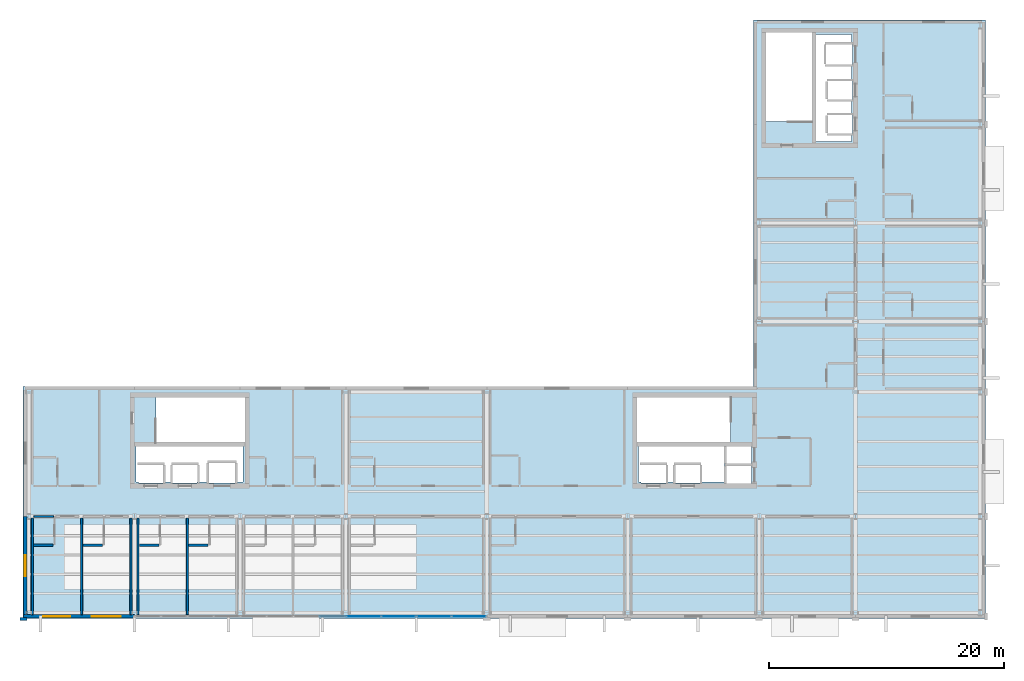
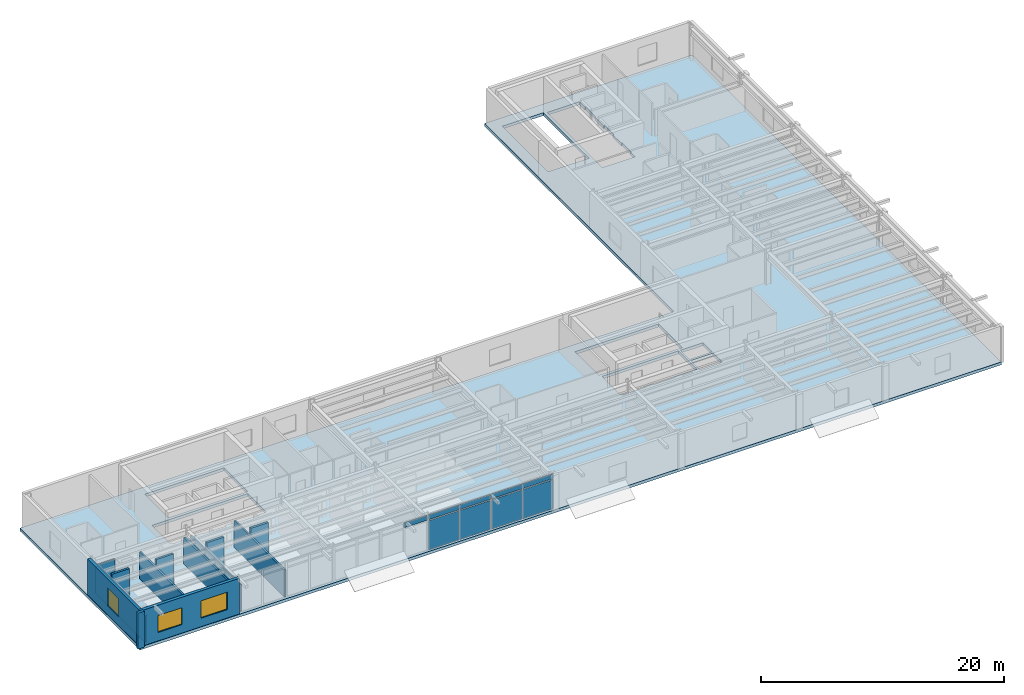
# One storey, part 11 of 19: 13 walls, 9 plates, 3 windows, 1 slab, 3 openings, 3 elements without a shape of their own.
"""IFC4 building model written with IfcOpenShell, lengths in metres."""

from ifc_helpers import new_model, si_unit, direction, frame, frame_2d, origin, origin_2d, place, context, subcontext, project, spatial, polyline, rectangle, outline, extrude, material, layer, layer_set, type_object, element, fill, aggregate, save


model = new_model("IFC4")

# Units and contexts
model_context = context("Model", 3, precision=1e-05, world=origin(), true_north=direction((0.0, 1.0)))
body_context = subcontext(model_context, "Body", "Model", "MODEL_VIEW")
ifc_project = project(units=[si_unit("LENGTHUNIT", "METRE"), si_unit("AREAUNIT", "SQUARE_METRE"), si_unit("VOLUMEUNIT", "CUBIC_METRE"), si_unit("PLANEANGLEUNIT", "RADIAN"), si_unit("MASSUNIT", "GRAM", prefix="KILO")], contexts=[model_context])

# Site, building, storey
site_placement = place(None, origin())
site = spatial("IfcSite", under=ifc_project, at=site_placement, CompositionType="ELEMENT")
building_placement = place(site_placement, origin())
building = spatial("IfcBuilding", under=site, at=building_placement, Name="Sollismere Congress Hotel", CompositionType="ELEMENT")
storey_placement = place(building_placement, frame((0.0, 0.0, 44.60009765625)))
storey = spatial("IfcBuildingStorey", under=building, at=storey_placement, Name="L11", CompositionType="ELEMENT", Elevation=44.60009765625)

# Curtain wall, plates
ifc_material_1 = material(Name="Anodized Bronze Curtain Wall & Low-E Triple Glazing", Category="glass")
ifc_layer_1 = layer(ifc_material_1, 0.199951171875, Name="Anodized Bronze Curtain Wall & Low-E Triple Glazing")
ifc_layer_set_1 = layer_set([ifc_layer_1], Name="Anodized Bronze Curtain Wall & Low-E Triple Glazing")
curtain_wall_type = type_object("IfcCurtainWallType", Name="CW-GLZ36", PredefinedType="USERDEFINED", material=ifc_layer_set_1)
curtain_wall_1_placement = place(storey_placement, origin())
curtain_wall_1 = element("IfcCurtainWall", 1, at=curtain_wall_1_placement, inside=storey, type_object=curtain_wall_type, Name="Unitised curtain wall CW-L11-163", ObjectType="UNITISED CURTAIN WALL", PredefinedType="USERDEFINED")
ifc_material_2 = material(Name="Blue-Tinted Solar-Control Low-E Vision Glass", Category="glass")
ifc_layer_2 = layer(ifc_material_2, 0.035888671875, Name="Blue-Tinted Solar-Control Low-E Vision Glass")
ifc_layer_set_2 = layer_set([ifc_layer_2], Name="Blue-Tinted Solar-Control Low-E Vision Glass")
plate_type_1 = type_object("IfcPlateType", Name="PL-CWGLZ", PredefinedType="CURTAIN_PANEL", material=ifc_layer_set_2)
plate_1_placement = place(storey_placement, frame((113.526611328125, -0.31005859375, 0.052978515625), z_axis=(0.0, 0.0, 1.0), x_axis=(1.0, 0.0, 0.0)))
plate_1 = element("IfcPlate", 2, at=plate_1_placement, type_object=plate_type_1, Name="CWL-CW-L11-163-VP01", PredefinedType="CURTAIN_PANEL", context=body_context, shape_type="SweptSolid", body=[
    extrude(rectangle(XDim=2.906005859375, YDim=0.035888671875, at=origin_2d()), origin(), (0.0, 0.0, 1.0), 2.9130859375),
])
plate_2_placement = place(storey_placement, frame((116.4833984375, -0.31005859375, 0.052978515625), z_axis=(0.0, 0.0, 1.0), x_axis=(1.0, 0.0, 0.0)))
plate_2 = element("IfcPlate", 3, at=plate_2_placement, type_object=plate_type_1, Name="CWL-CW-L11-163-VP02", PredefinedType="CURTAIN_PANEL", context=body_context, shape_type="SweptSolid", body=[
    extrude(rectangle(XDim=2.906005859375, YDim=0.035888671875, at=origin_2d()), origin(), (0.0, 0.0, 1.0), 2.9130859375),
])

curtain_wall_2_placement = place(storey_placement, origin())
curtain_wall_2 = element("IfcCurtainWall", 4, at=curtain_wall_2_placement, inside=storey, type_object=curtain_wall_type, Name="Unitised curtain wall CW-L11-164", ObjectType="UNITISED CURTAIN WALL", PredefinedType="USERDEFINED")
plate_3_placement = place(storey_placement, frame((119.5166015625, -0.31005859375, 0.052978515625), z_axis=(0.0, 0.0, 1.0), x_axis=(1.0, 0.0, 0.0)))
plate_3 = element("IfcPlate", 5, at=plate_3_placement, type_object=plate_type_1, Name="CWL-CW-L11-164-VP01", PredefinedType="CURTAIN_PANEL", context=body_context, shape_type="SweptSolid", body=[
    extrude(rectangle(XDim=2.906005859375, YDim=0.035888671875, at=origin_2d()), origin(), (0.0, 0.0, 1.0), 2.9130859375),
])
plate_4_placement = place(storey_placement, frame((122.473388671875, -0.31005859375, 0.052978515625), z_axis=(0.0, 0.0, 1.0), x_axis=(1.0, 0.0, 0.0)))
plate_4 = element("IfcPlate", 6, at=plate_4_placement, type_object=plate_type_1, Name="CWL-CW-L11-164-VP02", PredefinedType="CURTAIN_PANEL", context=body_context, shape_type="SweptSolid", body=[
    extrude(rectangle(XDim=2.906005859375, YDim=0.035888671875, at=origin_2d()), origin(), (0.0, 0.0, 1.0), 2.9130859375),
])

# Curtain wall, plate
curtain_wall_3_placement = place(storey_placement, origin())
curtain_wall_3 = element("IfcCurtainWall", 7, at=curtain_wall_3_placement, inside=storey, type_object=curtain_wall_type, Name="Unitised curtain wall CW-L11-162", ObjectType="UNITISED CURTAIN WALL", PredefinedType="USERDEFINED")
ifc_material_3 = material(Name="Anodized Bronze Insulated Spandrel Panel")
ifc_layer_3 = layer(ifc_material_3, 0.044921875, Name="Anodized Bronze Insulated Spandrel Panel")
ifc_layer_set_3 = layer_set([ifc_layer_3], Name="Anodized Bronze Insulated Spandrel Panel")
plate_type_2 = type_object("IfcPlateType", Name="PL-CWSPN", PredefinedType="SHEET", material=ifc_layer_set_3)
plate_5_placement = place(storey_placement, frame((110.848388671875, -0.31005859375, 3.08203125), z_axis=(0.0, 0.0, 1.0), x_axis=(1.0, 0.0, 0.0)))
plate_5 = element("IfcPlate", 8, at=plate_5_placement, type_object=plate_type_2, Name="CWL-CW-L11-162-SP02", PredefinedType="SHEET", context=body_context, shape_type="SweptSolid", body=[
    extrude(rectangle(XDim=2.156005859375, YDim=0.044921875, at=origin_2d()), origin(), (0.0, 0.0, 1.0), 0.465087890625),
])
aggregate(curtain_wall_3, [plate_5])

# Plate
plate_6_placement = place(storey_placement, frame((113.526611328125, -0.31005859375, 3.08203125), z_axis=(0.0, 0.0, 1.0), x_axis=(1.0, 0.0, 0.0)))
plate_6 = element("IfcPlate", 9, at=plate_6_placement, type_object=plate_type_2, Name="CWL-CW-L11-163-SP01", PredefinedType="SHEET", context=body_context, shape_type="SweptSolid", body=[
    extrude(rectangle(XDim=2.906005859375, YDim=0.044921875, at=origin_2d()), origin(), (0.0, 0.0, 1.0), 0.465087890625),
])

plate_7_placement = place(storey_placement, frame((116.4833984375, -0.31005859375, 3.08203125), z_axis=(0.0, 0.0, 1.0), x_axis=(1.0, 0.0, 0.0)))
plate_7 = element("IfcPlate", 10, at=plate_7_placement, type_object=plate_type_2, Name="CWL-CW-L11-163-SP02", PredefinedType="SHEET", context=body_context, shape_type="SweptSolid", body=[
    extrude(rectangle(XDim=2.906005859375, YDim=0.044921875, at=origin_2d()), origin(), (0.0, 0.0, 1.0), 0.465087890625),
])

aggregate(curtain_wall_1, [plate_1, plate_6, plate_2, plate_7])

plate_8_placement = place(storey_placement, frame((119.5166015625, -0.31005859375, 3.08203125), z_axis=(0.0, 0.0, 1.0), x_axis=(1.0, 0.0, 0.0)))
plate_8 = element("IfcPlate", 11, at=plate_8_placement, type_object=plate_type_2, Name="CWL-CW-L11-164-SP01", PredefinedType="SHEET", context=body_context, shape_type="SweptSolid", body=[
    extrude(rectangle(XDim=2.906005859375, YDim=0.044921875, at=origin_2d()), origin(), (0.0, 0.0, 1.0), 0.465087890625),
])

plate_9_placement = place(storey_placement, frame((122.473388671875, -0.31005859375, 3.08203125), z_axis=(0.0, 0.0, 1.0), x_axis=(1.0, 0.0, 0.0)))
plate_9 = element("IfcPlate", 12, at=plate_9_placement, type_object=plate_type_2, Name="CWL-CW-L11-164-SP02", PredefinedType="SHEET", context=body_context, shape_type="SweptSolid", body=[
    extrude(rectangle(XDim=2.906005859375, YDim=0.044921875, at=origin_2d()), origin(), (0.0, 0.0, 1.0), 0.465087890625),
])

aggregate(curtain_wall_2, [plate_3, plate_8, plate_4, plate_9])

# Slab
ifc_material_4 = material(Name="Concrete C40/50", Category="concrete")
ifc_layer_4 = layer(ifc_material_4, 0.294921875, Name="Concrete C40/50")
ifc_layer_set_4 = layer_set([ifc_layer_4], Name="Concrete C40/50")
slab_type = type_object("IfcSlabType", Name="SL-FLR295", PredefinedType="FLOOR", material=ifc_layer_set_4)
slab_placement = place(storey_placement, frame((0.0, 0.0, -0.295166015625)))
element("IfcSlab", 13, at=slab_placement, inside=storey, type_object=slab_type, Name="Slab SL-L11-V5", PredefinedType="FLOOR", context=body_context, shape_type="SweptSolid", body=[
    extrude(outline(polyline([(166.47998046875, -0.47998046875), (166.47998046875, 19.280029296875), (166.47998046875, 50.47998046875), (146.719970703125, 50.47998046875), (146.719970703125, 19.280029296875), (84.52001953125, 19.280029296875), (84.52001953125, -0.47998046875), (166.47998046875, -0.47998046875)]), holes=[polyline([(94.35498046875, 11.050048828125), (94.35498046875, 11.139892578125), (94.139892578125, 11.139892578125), (94.139892578125, 14.179931640625), (103.260009765625, 14.179931640625), (103.260009765625, 11.139892578125), (102.570068359375, 11.139892578125), (102.570068359375, 11.054931640625), (100.330078125, 11.054931640625), (100.330078125, 11.139892578125), (99.344970703125, 11.139892578125), (99.344970703125, 11.050048828125), (97.2548828125, 11.050048828125), (97.2548828125, 11.139892578125), (96.445068359375, 11.139892578125), (96.445068359375, 11.050048828125), (94.35498046875, 11.050048828125)]), polyline([(137.155029296875, 11.050048828125), (137.155029296875, 11.139892578125), (136.93994140625, 11.139892578125), (136.93994140625, 14.179931640625), (144.22705078125, 14.179931640625), (144.22705078125, 11.139892578125), (142.14501953125, 11.139892578125), (142.14501953125, 11.050048828125), (140.054931640625, 11.050048828125), (140.054931640625, 11.139892578125), (139.2451171875, 11.139892578125), (139.2451171875, 11.050048828125), (137.155029296875, 11.050048828125)]), polyline([(95.8505859375, 14.449951171875), (95.8505859375, 18.35009765625), (103.39990234375, 18.35009765625), (103.39990234375, 14.449951171875), (95.8505859375, 14.449951171875)]), polyline([(144.749267578125, 18.35009765625), (144.749267578125, 14.449951171875), (136.800048828125, 14.449951171875), (136.800048828125, 18.35009765625), (144.749267578125, 18.35009765625)]), polyline([(146.550048828125, 11.0048828125), (144.409912109375, 11.0048828125), (144.409912109375, 12.4951171875), (146.550048828125, 12.4951171875), (146.550048828125, 11.0048828125)]), polyline([(146.550048828125, 12.705078125), (144.409912109375, 12.705078125), (144.409912109375, 14.195068359375), (146.550048828125, 14.195068359375), (146.550048828125, 12.705078125)]), polyline([(155.14501953125, 40.830078125), (155.06005859375, 40.830078125), (155.06005859375, 40.139892578125), (151.969970703125, 40.139892578125), (151.969970703125, 49.260009765625), (155.06005859375, 49.260009765625), (155.06005859375, 48.39501953125), (155.139892578125, 48.39501953125), (155.139892578125, 46.705078125), (155.06005859375, 46.705078125), (155.06005859375, 45.27001953125), (155.14501953125, 45.27001953125), (155.14501953125, 43.72998046875), (155.06005859375, 43.72998046875), (155.06005859375, 42.3701171875), (155.14501953125, 42.3701171875), (155.14501953125, 40.830078125)]), polyline([(151.699951171875, 41.8505859375), (147.800048828125, 41.8505859375), (147.800048828125, 49.39990234375), (151.699951171875, 49.39990234375), (151.699951171875, 41.8505859375)])]), origin(), (0.0, 0.0, 1.0), 0.295166015625),
])

# Wall, openings, windows
ifc_material_5 = material(Name="Colorado Buff Sandstone Rainscreen on Insulated Backup", Category="masonry")
ifc_layer_5 = layer(ifc_material_5, 0.284912109375, Name="Colorado Buff Sandstone Rainscreen on Insulated Backup")
ifc_layer_set_5 = layer_set([ifc_layer_5], Name="Colorado Buff Sandstone Rainscreen on Insulated Backup")
wall_type_1 = type_object("IfcWallType", Name="WL-EXT285", PredefinedType="STANDARD", material=ifc_layer_set_5)
wall_1_placement = place(storey_placement, frame((84.550048828125, -0.31005859375, 0.0), z_axis=(0.0, 0.0, 1.0), x_axis=(1.0, 0.0, 0.0)))
wall_1 = element("IfcWall", 14, at=wall_1_placement, inside=storey, type_object=wall_type_1, Name="Exterior wall EW-L11-997", PredefinedType="STANDARD", context=body_context, shape_type="SweptSolid", body=[
    extrude(rectangle(XDim=9.449951171875, YDim=0.284912109375, at=frame_2d((4.72509765625, 0.0))), origin(), (0.0, 0.0, 1.0), 3.599853515625),
])
opening_1_placement = place(wall_1_placement, frame((1.699951171875, 0.0, 0.85009765625)))
opening_1 = element("IfcOpeningElement", 15, at=opening_1_placement, cuts=wall_1, Name="Opening W-L11-712", PredefinedType="OPENING", context=body_context, shape_type="SweptSolid", body=[
    extrude(rectangle(XDim=2.300048828125, YDim=1.699951171875, at=frame_2d((1.14990234375, 0.85009765625))), frame((0.0, 0.15234375, 0.0), z_axis=(0.0, -1.0, 0.0), x_axis=(1.0, 0.0, 0.0)), (0.0, 0.0, 1.0), 0.304931640625),
])
opening_2_placement = place(wall_1_placement, frame((5.800048828125, 0.0, 0.85009765625)))
opening_2 = element("IfcOpeningElement", 16, at=opening_2_placement, cuts=wall_1, Name="Opening W-L11-713", PredefinedType="OPENING", context=body_context, shape_type="SweptSolid", body=[
    extrude(rectangle(XDim=2.5, YDim=1.75, at=frame_2d((1.25, 0.875))), frame((0.0, 0.15234375, 0.0), z_axis=(0.0, -1.0, 0.0), x_axis=(1.0, 0.0, 0.0)), (0.0, 0.0, 1.0), 0.304931640625),
])
ifc_material_6 = material(Name="Thermally Broken Bronze Aluminum & Low-E Glass", Category="aluminium")
window_type_1 = type_object("IfcWindowType", Name="WN-P230x170", PartitioningType="SINGLE_PANEL", PredefinedType="WINDOW", material=ifc_material_6)
window_1_placement = place(opening_1_placement, origin())
window_1 = element("IfcWindow", 17, at=window_1_placement, inside=storey, type_object=window_type_1, Name="WIN-W-L11-712", OverallHeight=1.699951171875, OverallWidth=2.300048828125, PartitioningType="SINGLE_PANEL", PredefinedType="WINDOW", context=body_context, shape_type="SweptSolid", body=[
    extrude(rectangle(XDim=2.300048828125, YDim=1.699951171875, at=frame_2d((1.14990234375, 0.85009765625))), frame((0.0, 0.030029296875, 0.0), z_axis=(0.0, -1.0, 0.0), x_axis=(1.0, 0.0, 0.0)), (0.0, 0.0, 1.0), 0.06005859375),
])
fill(opening_1, window_1)
window_type_2 = type_object("IfcWindowType", Name="WN-P250x175", PartitioningType="SINGLE_PANEL", PredefinedType="WINDOW", material=ifc_material_6)
window_2_placement = place(opening_2_placement, origin())
window_2 = element("IfcWindow", 18, at=window_2_placement, inside=storey, type_object=window_type_2, Name="WIN-W-L11-713", OverallHeight=1.75, OverallWidth=2.5, PartitioningType="SINGLE_PANEL", PredefinedType="WINDOW", context=body_context, shape_type="SweptSolid", body=[
    extrude(rectangle(XDim=2.5, YDim=1.75, at=frame_2d((1.25, 0.875))), frame((0.0, 0.030029296875, 0.0), z_axis=(0.0, -1.0, 0.0), x_axis=(1.0, 0.0, 0.0)), (0.0, 0.0, 1.0), 0.06005859375),
])
fill(opening_2, window_2)

# Wall, opening, window
wall_2_placement = place(storey_placement, frame((84.68994140625, 8.199951171875, 0.0), z_axis=(0.0, 0.0, 1.0), x_axis=(0.0, -1.0, 0.0)))
wall_2 = element("IfcWall", 19, at=wall_2_placement, inside=storey, type_object=wall_type_1, Name="Exterior wall EW-L11-1029", PredefinedType="STANDARD", context=body_context, shape_type="SweptSolid", body=[
    extrude(rectangle(XDim=8.365478515625, YDim=0.284912109375, at=frame_2d((4.1826171875, 0.0))), origin(), (0.0, 0.0, 1.0), 3.599853515625),
])
opening_3_placement = place(wall_2_placement, frame((3.28271484375, 0.0, 0.8798828125)))
opening_3 = element("IfcOpeningElement", 20, at=opening_3_placement, cuts=wall_2, Name="Opening W-L11-730", PredefinedType="OPENING", context=body_context, shape_type="SweptSolid", body=[
    extrude(rectangle(XDim=1.800048828125, YDim=1.800048828125, at=frame_2d((0.89990234375, 0.89990234375))), frame((0.0, 0.15234375, 0.0), z_axis=(0.0, -1.0, 0.0), x_axis=(1.0, 0.0, 0.0)), (0.0, 0.0, 1.0), 0.304931640625),
])
window_type_3 = type_object("IfcWindowType", Name="WN-P180x180", PartitioningType="SINGLE_PANEL", PredefinedType="WINDOW", material=ifc_material_6)
window_3_placement = place(opening_3_placement, origin())
window_3 = element("IfcWindow", 21, at=window_3_placement, inside=storey, type_object=window_type_3, Name="WIN-W-L11-730", OverallHeight=1.800048828125, OverallWidth=1.800048828125, PartitioningType="SINGLE_PANEL", PredefinedType="WINDOW", context=body_context, shape_type="SweptSolid", body=[
    extrude(rectangle(XDim=1.800048828125, YDim=1.800048828125, at=frame_2d((0.89990234375, 0.89990234375))), frame((0.0, 0.030029296875, 0.0), z_axis=(0.0, -1.0, 0.0), x_axis=(1.0, 0.0, 0.0)), (0.0, 0.0, 1.0), 0.06005859375),
])
fill(opening_3, window_3)

# Walls
ifc_material_7 = material(Name="Carved Travertine Pilaster & Frieze Assembly", Category="masonry")
ifc_layer_6 = layer(ifc_material_7, 0.260009765625, Name="Carved Travertine Pilaster & Frieze Assembly")
ifc_layer_set_6 = layer_set([ifc_layer_6], Name="Carved Travertine Pilaster & Frieze Assembly")
wall_type_2 = type_object("IfcWallType", Name="WL-PIL280", PredefinedType="ELEMENTEDWALL", material=ifc_layer_set_6)
wall_3_placement = place(storey_placement, frame((84.25, -0.52001953125, 0.0), z_axis=(0.0, 0.0, 1.0), x_axis=(1.0, 0.0, 0.0)))
element("IfcWall", 22, at=wall_3_placement, inside=storey, type_object=wall_type_2, Name="Exterior wall EW-L11-998", PredefinedType="ELEMENTEDWALL", context=body_context, shape_type="SweptSolid", body=[
    extrude(rectangle(XDim=0.60009765625, YDim=0.260009765625, at=frame_2d((0.300048828125, 0.0))), origin(), (0.0, 0.0, 1.0), 3.599853515625),
])
ifc_material_8 = material(Name="Moisture-Resistant Shaft Gypsum Assembly")
ifc_layer_7 = layer(ifc_material_8, 0.199951171875, Name="Moisture-Resistant Shaft Gypsum Assembly")
ifc_layer_set_7 = layer_set([ifc_layer_7], Name="Moisture-Resistant Shaft Gypsum Assembly")
wall_type_3 = type_object("IfcWallType", Name="WL-PLM200", PredefinedType="PLUMBINGWALL", material=ifc_layer_set_7)
wall_4_placement = place(storey_placement, frame((85.419921875, 5.75, 0.0), z_axis=(0.0, 0.0, 1.0), x_axis=(1.0, 0.0, 0.0)))
element("IfcWall", 23, at=wall_4_placement, inside=storey, type_object=wall_type_3, Name="Interior wall IW-L11-2879", PredefinedType="PLUMBINGWALL", context=body_context, shape_type="SweptSolid", body=[
    extrude(rectangle(XDim=1.650146484375, YDim=0.199951171875, at=frame_2d((0.8251953125, 0.0))), origin(), (0.0, 0.0, 1.0), 3.2998046875),
])
wall_5_placement = place(storey_placement, frame((89.6201171875, 5.75, 0.0), z_axis=(0.0, 0.0, 1.0), x_axis=(1.0, 0.0, 0.0)))
element("IfcWall", 24, at=wall_5_placement, inside=storey, type_object=wall_type_3, Name="Interior wall IW-L11-2884", PredefinedType="PLUMBINGWALL", context=body_context, shape_type="SweptSolid", body=[
    extrude(rectangle(XDim=1.64990234375, YDim=0.199951171875, at=frame_2d((0.824951171875, 0.0))), origin(), (0.0, 0.0, 1.0), 3.2998046875),
])
wall_6_placement = place(storey_placement, frame((94.419921875, 5.75, 0.0), z_axis=(0.0, 0.0, 1.0), x_axis=(1.0, 0.0, 0.0)))
element("IfcWall", 25, at=wall_6_placement, inside=storey, type_object=wall_type_3, Name="Interior wall IW-L11-2896", PredefinedType="PLUMBINGWALL", context=body_context, shape_type="SweptSolid", body=[
    extrude(rectangle(XDim=1.650146484375, YDim=0.199951171875, at=frame_2d((0.8251953125, 0.0))), origin(), (0.0, 0.0, 1.0), 3.2998046875),
])
wall_7_placement = place(storey_placement, frame((98.6201171875, 5.75, 0.0), z_axis=(0.0, 0.0, 1.0), x_axis=(1.0, 0.0, 0.0)))
element("IfcWall", 26, at=wall_7_placement, inside=storey, type_object=wall_type_3, Name="Interior wall IW-L11-2901", PredefinedType="PLUMBINGWALL", context=body_context, shape_type="SweptSolid", body=[
    extrude(rectangle(XDim=1.64990234375, YDim=0.199951171875, at=frame_2d((0.824951171875, 0.0))), origin(), (0.0, 0.0, 1.0), 3.2998046875),
])
ifc_material_9 = material(Name="Fire-Rated Gypsum Partition")
ifc_layer_8 = layer(ifc_material_9, 0.139892578125, Name="Fire-Rated Gypsum Partition")
ifc_layer_set_8 = layer_set([ifc_layer_8], Name="Fire-Rated Gypsum Partition")
wall_type_4 = type_object("IfcWallType", Name="WL-PRT140R", PredefinedType="PARTITIONING", material=ifc_layer_set_8)
wall_8_placement = place(storey_placement, frame((85.43994140625, 8.199951171875, 0.0), z_axis=(0.0, 0.0, 1.0), x_axis=(1.0, 0.0, 0.0)))
element("IfcWall", 27, at=wall_8_placement, inside=storey, type_object=wall_type_4, Name="Interior wall IW-L11-2874", PredefinedType="PARTITIONING", context=body_context, shape_type="SweptSolid", body=[
    extrude(rectangle(XDim=1.670166015625, YDim=0.139892578125, at=frame_2d((0.8349609375, 0.0))), origin(), (0.0, 0.0, 1.0), 2.712890625),
])
ifc_material_10 = material(Name="Fire-Rated Acoustic Gypsum Partition")
ifc_layer_9 = layer(ifc_material_10, 0.1650390625, Name="Fire-Rated Acoustic Gypsum Partition")
ifc_layer_set_9 = layer_set([ifc_layer_9], Name="Fire-Rated Acoustic Gypsum Partition")
wall_type_5 = type_object("IfcWallType", Name="WL-PRT165R", PredefinedType="PARTITIONING", material=ifc_layer_set_9)
for number, where, z_axis, x_axis, name in (
    (28, (85.300048828125, -0.152587890625, 0.0), (0.0, 0.0, 1.0), (0.0, 1.0, 0.0), "Interior wall IW-L11-2876"),
    (29, (89.5, -0.152587890625, 0.0), (0.0, 0.0, 1.0), (0.0, 1.0, 0.0), "Interior wall IW-L11-2877"),
    (30, (93.699951171875, -0.152587890625, 0.0), (0.0, 0.0, 1.0), (0.0, 1.0, 0.0), "Interior wall IW-L11-2882"),
):
    element("IfcWall", number, at=place(storey_placement, frame(where, z_axis=z_axis, x_axis=x_axis)), inside=storey, type_object=wall_type_5, Name=name, PredefinedType="PARTITIONING", context=body_context, shape_type="SweptSolid", body=[
        extrude(rectangle(XDim=8.212646484375, YDim=0.1650390625, at=frame_2d((4.1064453125, 0.0))), origin(), (0.0, 0.0, 1.0), 2.68994140625),
    ])
for number, where, z_axis, x_axis, name in (
    (31, (94.300048828125, -0.159912109375, 0.0), (0.0, 0.0, 1.0), (0.0, 1.0, 0.0), "Interior wall IW-L11-2893"),
    (32, (98.5, -0.159912109375, 0.0), (0.0, 0.0, 1.0), (0.0, 1.0, 0.0), "Interior wall IW-L11-2894"),
):
    element("IfcWall", number, at=place(storey_placement, frame(where, z_axis=z_axis, x_axis=x_axis)), inside=storey, type_object=wall_type_5, Name=name, PredefinedType="PARTITIONING", context=body_context, shape_type="SweptSolid", body=[
        extrude(rectangle(XDim=8.219970703125, YDim=0.1650390625, at=frame_2d((4.10986328125, 0.0))), origin(), (0.0, 0.0, 1.0), 2.68994140625),
    ])

save(model, "model.ifc")
